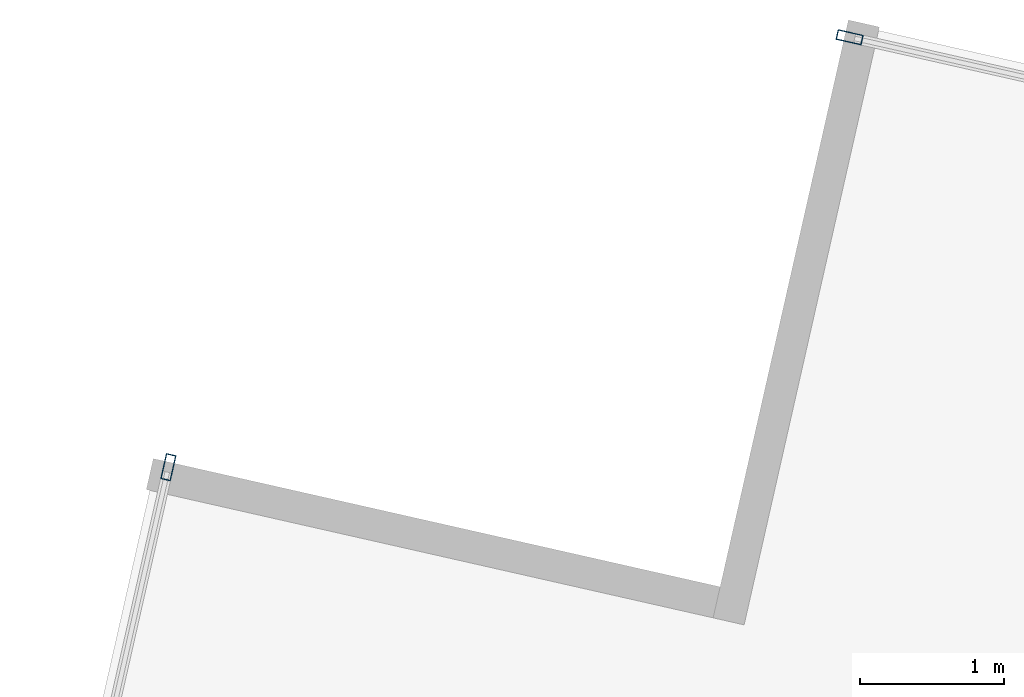
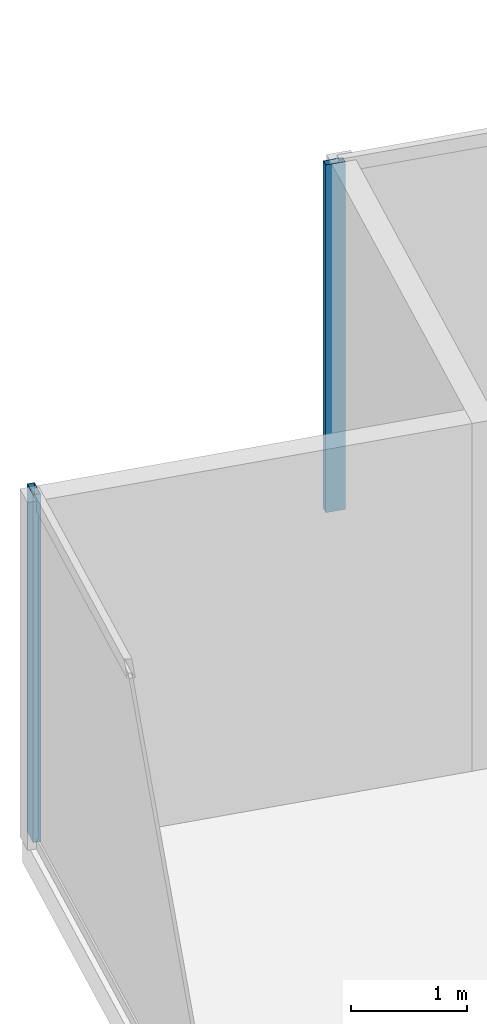
# One storey, part 17 of 26: 2 members, 2 elements without a shape of their own.
"""IFC4 building model written with IfcOpenShell, lengths in metres."""

from ifc_helpers import new_model, si_unit, direction, frame, origin, origin_2d, place, context, subcontext, project, spatial, hollow_rectangle, extrude, source, transform, mapped, material, material_profile, profile_set, type_object, type_shapes, element, aggregate, save


model = new_model("IFC4")

# Units and contexts
model_context = context("Model", 3, precision=1e-05, world=origin(), true_north=direction((0.0, 1.0)))
body_context = subcontext(model_context, "Body", "Model", "MODEL_VIEW")
ifc_project = project(units=[si_unit("LENGTHUNIT", "METRE"), si_unit("AREAUNIT", "SQUARE_METRE"), si_unit("VOLUMEUNIT", "CUBIC_METRE"), si_unit("PLANEANGLEUNIT", "RADIAN"), si_unit("MASSUNIT", "GRAM", prefix="KILO")], contexts=[model_context])

# Site, building, storey
site_placement = place(None, origin())
site = spatial("IfcSite", under=ifc_project, at=site_placement, CompositionType="ELEMENT")
building_placement = place(site_placement, origin())
building = spatial("IfcBuilding", under=site, at=building_placement, Name="Krantzveldt Concourse Tower", CompositionType="ELEMENT")
storey_placement = place(building_placement, frame((0.0, 0.0, 90.050048828125)))
storey = spatial("IfcBuildingStorey", under=building, at=storey_placement, Name="L21", CompositionType="ELEMENT", Elevation=90.050048828125)

# Curtain wall, member
ifc_material = material(Name="Anodised aluminium 6063-T6", Category="aluminium")
curtain_wall_type = type_object("IfcCurtainWallType", Name="CW2", PredefinedType="USERDEFINED", material=ifc_material)
curtain_wall_1_placement = place(storey_placement, origin())
curtain_wall_1 = element("IfcCurtainWall", 1, at=curtain_wall_1_placement, inside=storey, type_object=curtain_wall_type, Name="CW-L21-F01", ObjectType="UNITISED CURTAIN WALL", PredefinedType="USERDEFINED")
ifc_material_profile = material_profile(ifc_material, hollow_rectangle(XDim=0.070068359375, YDim=0.179931640625, WallThickness=0.0048828125, at=origin_2d()), Name="Anodised aluminium 6063-T6", Category="aluminium")
ifc_profile_set = profile_set([ifc_material_profile], Name="Anodised aluminium 6063-T6 - ALU-MULL 180x70x5")
member_type = type_object("IfcMemberType", Name="CW-MUL-180", PredefinedType="MULLION", material=ifc_profile_set)
shared_shape = source(origin(), body_context, "Body", "SweptSolid", [
    extrude(hollow_rectangle(XDim=0.070068359375, YDim=0.179931640625, WallThickness=0.0048828125, at=origin_2d()), origin(), (0.0, 0.0, 1.0), 3.669921875),
])
type_shapes(member_type, [shared_shape])
member_1_placement = place(storey_placement, frame((17.53857421875, 50.73193359375, 0.0), z_axis=(0.0, 0.0, 1.0), x_axis=(0.975342320609, -0.220697434579, 0.0)))
member_1 = element("IfcMember", 2, at=member_1_placement, type_object=member_type, Name="CW-Z12 mullion 1", PredefinedType="MULLION", context=body_context, shape_type="MappedRepresentation", body=[
    mapped(shared_shape, transform((0.0, 0.0, 0.0), x_axis=(1.0, 0.0, 0.0), y_axis=(0.0, 1.0, 0.0), z_axis=(0.0, 0.0, 1.0), scale=1.0)),
])
aggregate(curtain_wall_1, [member_1])

curtain_wall_2_placement = place(storey_placement, origin())
curtain_wall_2 = element("IfcCurtainWall", 3, at=curtain_wall_2_placement, inside=storey, type_object=curtain_wall_type, Name="CW-L21-F10", ObjectType="UNITISED CURTAIN WALL", PredefinedType="USERDEFINED")
member_2_placement = place(storey_placement, frame((22.2568359375, 53.708984375, 0.0), z_axis=(0.0, 0.0, 1.0), x_axis=(-0.220697434579, -0.975342320609, 0.0)))
member_2 = element("IfcMember", 4, at=member_2_placement, type_object=member_type, Name="CW-Z12 mullion 7", PredefinedType="MULLION", context=body_context, shape_type="MappedRepresentation", body=[
    mapped(shared_shape, transform((0.0, 0.0, 0.0), x_axis=(1.0, 0.0, 0.0), y_axis=(0.0, 1.0, 0.0), z_axis=(0.0, 0.0, 1.0), scale=1.0)),
])
aggregate(curtain_wall_2, [member_2])

save(model, "model.ifc")
